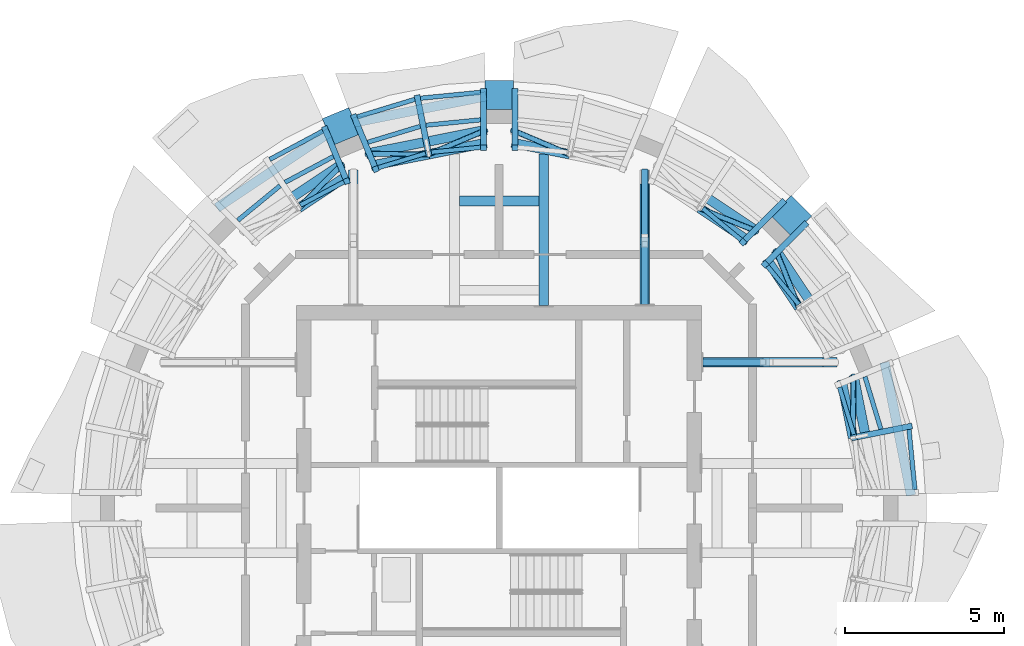
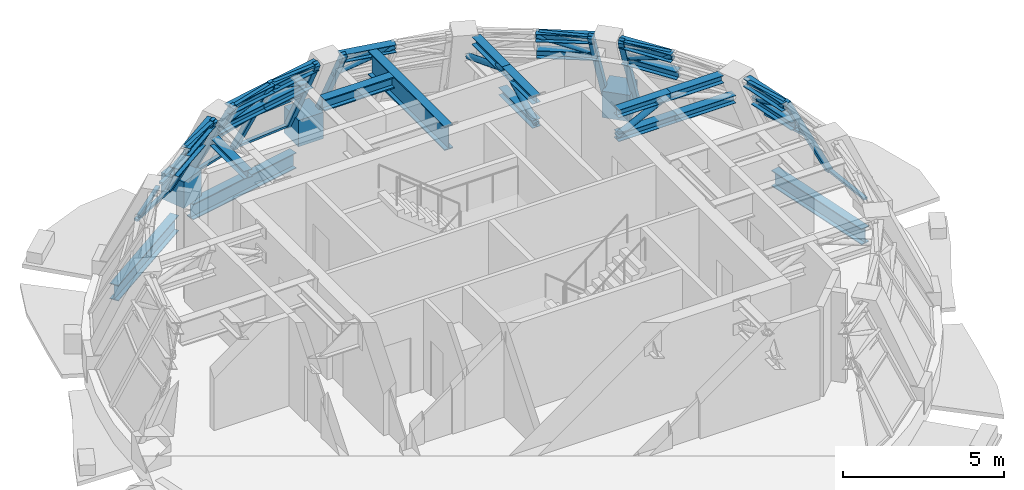
# One storey, part 5 of 12: 57 members, 5 beams, 6 elements without a shape of their own.
"""IFC4 building model written with IfcOpenShell, lengths in metres."""

from ifc_helpers import new_model, si_unit, direction, frame, origin, origin_2d, place, context, subcontext, project, spatial, rectangle, hollow_circle, i_section, extrude, material, material_profile, profile_set, type_object, element, aggregate, save


model = new_model("IFC4")

# Units and contexts
model_context = context("Model", 3, precision=1e-05, world=origin(), true_north=direction((0.0, 1.0)))
body_context = subcontext(model_context, "Body", "Model", "MODEL_VIEW")
ifc_project = project(units=[si_unit("LENGTHUNIT", "METRE"), si_unit("AREAUNIT", "SQUARE_METRE"), si_unit("VOLUMEUNIT", "CUBIC_METRE"), si_unit("PLANEANGLEUNIT", "RADIAN"), si_unit("MASSUNIT", "GRAM", prefix="KILO")], contexts=[model_context])

# Site, building, storey
site_placement = place(None, origin())
site = spatial("IfcSite", under=ifc_project, at=site_placement, CompositionType="ELEMENT")
building_placement = place(site_placement, origin())
building = spatial("IfcBuilding", under=site, at=building_placement, Name="Polderwave Tower", CompositionType="ELEMENT")
storey_placement = place(building_placement, frame((0.0, 0.0, 235.39990234375)))
storey = spatial("IfcBuildingStorey", under=building, at=storey_placement, Name="L64", CompositionType="ELEMENT", Elevation=235.39990234375)

# Members
ifc_material_1 = material(Name="Steel S460", Category="steel")
ifc_material_profile_1 = material_profile(ifc_material_1, i_section(OverallWidth=0.300048828125, OverallDepth=0.300048828125, WebThickness=0.010986328125, FlangeThickness=0.01904296875, at=origin_2d()), Name="HE 300 B")
ifc_profile_set_1 = profile_set([ifc_material_profile_1], Name="Steel S460")
member_type_1 = type_object("IfcMemberType", Name="BELT CHORD HE 300 B", PredefinedType="CHORD", material=ifc_profile_set_1)
member_1_placement = place(storey_placement, frame((11.098388671875, 2.20751953125, 3.25), z_axis=(-0.195122538865, 0.980778871524, 0.0), x_axis=(-0.980778871524, -0.195122538865, 0.0)))
element("IfcMember", 1, at=member_1_placement, inside=storey, type_object=member_type_1, Name="ST-BT-L64-00-TC2", PredefinedType="CHORD", context=body_context, shape_type="SweptSolid", body=[
    extrude(i_section(OverallWidth=0.300048828125, OverallDepth=0.300048828125, WebThickness=0.010986328125, FlangeThickness=0.01904296875, at=origin_2d()), origin(), (0.0, 0.0, 1.0), 1.843017578125),
])
member_2_placement = place(storey_placement, frame((11.488037109375, 2.28515625, 2.35009765625), z_axis=(-0.195114468684, 0.980780477023, 0.0), x_axis=(-0.980780477023, -0.195114468684, 0.0)))
element("IfcMember", 2, at=member_2_placement, inside=storey, type_object=member_type_1, Name="ST-BT-L64-00-BC2", PredefinedType="CHORD", context=body_context, shape_type="SweptSolid", body=[
    extrude(i_section(OverallWidth=0.300048828125, OverallDepth=0.300048828125, WebThickness=0.010986328125, FlangeThickness=0.01904296875, at=origin_2d()), origin(), (0.0, 0.0, 1.0), 1.921875),
])
member_3_placement = place(storey_placement, frame((9.40869140625, 6.28662109375, 3.25), z_axis=(-0.555555826751, 0.831479238083, 0.0), x_axis=(-0.831479238083, -0.555555826751, 0.0)))
element("IfcMember", 3, at=member_3_placement, inside=storey, type_object=member_type_1, Name="ST-BT-L64-01-TC2", PredefinedType="CHORD", context=body_context, shape_type="SweptSolid", body=[
    extrude(i_section(OverallWidth=0.300048828125, OverallDepth=0.300048828125, WebThickness=0.010986328125, FlangeThickness=0.01904296875, at=origin_2d()), origin(), (0.0, 0.0, 1.0), 1.843017578125),
])
member_4_placement = place(storey_placement, frame((9.739013671875, 6.50732421875, 2.35009765625), z_axis=(-0.555579245802, 0.831463590083, 0.0), x_axis=(-0.831463590083, -0.555579245802, 0.0)))
element("IfcMember", 4, at=member_4_placement, inside=storey, type_object=member_type_1, Name="ST-BT-L64-01-BC2", PredefinedType="CHORD", context=body_context, shape_type="SweptSolid", body=[
    extrude(i_section(OverallWidth=0.300048828125, OverallDepth=0.300048828125, WebThickness=0.010986328125, FlangeThickness=0.01904296875, at=origin_2d()), origin(), (0.0, 0.0, 1.0), 1.922119140625),
])
member_5_placement = place(storey_placement, frame((7.819091796875, 8.384765625, 3.25), z_axis=(-0.831479238083, 0.555555826751, 0.0), x_axis=(-0.555555826751, -0.831479238083, 0.0)))
element("IfcMember", 5, at=member_5_placement, inside=storey, type_object=member_type_1, Name="ST-BT-L64-02-TC1", PredefinedType="CHORD", context=body_context, shape_type="SweptSolid", body=[
    extrude(i_section(OverallWidth=0.300048828125, OverallDepth=0.300048828125, WebThickness=0.010986328125, FlangeThickness=0.01904296875, at=origin_2d()), origin(), (0.0, 0.0, 1.0), 1.843017578125),
])
member_6_placement = place(storey_placement, frame((8.10546875, 8.671142578125, 2.35009765625), z_axis=(-0.831463590083, 0.555579245802, 0.0), x_axis=(-0.555579245802, -0.831463590083, 0.0)))
element("IfcMember", 6, at=member_6_placement, inside=storey, type_object=member_type_1, Name="ST-BT-L64-02-BC1", PredefinedType="CHORD", context=body_context, shape_type="SweptSolid", body=[
    extrude(i_section(OverallWidth=0.300048828125, OverallDepth=0.300048828125, WebThickness=0.010986328125, FlangeThickness=0.01904296875, at=origin_2d()), origin(), (0.0, 0.0, 1.0), 1.922119140625),
])
for number, where, z_axis, x_axis, name in (
    (7, (2.20751953125, 11.098388671875, 3.25), (-0.980778871524, 0.195122538865, 0.0), (-0.195122538865, -0.980778871524, 0.0), "ST-BT-L64-03-TC2"),
    (8, (-0.39990234375, 11.4580078125, 3.25), (-0.980778871524, -0.195122538865, 0.0), (0.195122538865, -0.980778871524, 0.0), "ST-BT-L64-04-TC1"),
):
    element("IfcMember", number, at=place(storey_placement, frame(where, z_axis=z_axis, x_axis=x_axis)), inside=storey, type_object=member_type_1, Name=name, PredefinedType="CHORD", context=body_context, shape_type="SweptSolid", body=[
        extrude(i_section(OverallWidth=0.300048828125, OverallDepth=0.300048828125, WebThickness=0.010986328125, FlangeThickness=0.01904296875, at=origin_2d()), origin(), (0.0, 0.0, 1.0), 1.843017578125),
    ])
member_7_placement = place(storey_placement, frame((-0.39990234375, 11.863037109375, 2.35009765625), z_axis=(-0.980785312019, -0.195090163074, 0.0), x_axis=(0.195090163074, -0.980785312019, 0.0)))
element("IfcMember", 9, at=member_7_placement, inside=storey, type_object=member_type_1, Name="ST-BT-L64-04-BC1", PredefinedType="CHORD", context=body_context, shape_type="SweptSolid", body=[
    extrude(i_section(OverallWidth=0.300048828125, OverallDepth=0.300048828125, WebThickness=0.010986328125, FlangeThickness=0.01904296875, at=origin_2d()), origin(), (0.0, 0.0, 1.0), 1.922119140625),
])
member_8_placement = place(storey_placement, frame((-2.20751953125, 11.098388671875, 3.25), z_axis=(-0.980778871524, -0.195122538865, 0.0), x_axis=(0.195122538865, -0.980778871524, 0.0)))
element("IfcMember", 10, at=member_8_placement, inside=storey, type_object=member_type_1, Name="ST-BT-L64-04-TC2", PredefinedType="CHORD", context=body_context, shape_type="SweptSolid", body=[
    extrude(i_section(OverallWidth=0.300048828125, OverallDepth=0.300048828125, WebThickness=0.010986328125, FlangeThickness=0.01904296875, at=origin_2d()), origin(), (0.0, 0.0, 1.0), 1.843017578125),
])
member_9_placement = place(storey_placement, frame((-2.28515625, 11.488037109375, 2.35009765625), z_axis=(-0.980780477023, -0.195114468684, 0.0), x_axis=(0.195114468684, -0.980780477023, 0.0)))
element("IfcMember", 11, at=member_9_placement, inside=storey, type_object=member_type_1, Name="ST-BT-L64-04-BC2", PredefinedType="CHORD", context=body_context, shape_type="SweptSolid", body=[
    extrude(i_section(OverallWidth=0.300048828125, OverallDepth=0.300048828125, WebThickness=0.010986328125, FlangeThickness=0.01904296875, at=origin_2d()), origin(), (0.0, 0.0, 1.0), 1.921875),
])
member_10_placement = place(storey_placement, frame((-4.75439453125, 10.4326171875, 3.25), z_axis=(-0.831438347203, -0.555617021697, 0.0), x_axis=(0.555617021697, -0.831438347203, 0.0)))
element("IfcMember", 12, at=member_10_placement, inside=storey, type_object=member_type_1, Name="ST-BT-L64-05-TC1", PredefinedType="CHORD", context=body_context, shape_type="SweptSolid", body=[
    extrude(i_section(OverallWidth=0.300048828125, OverallDepth=0.300048828125, WebThickness=0.010986328125, FlangeThickness=0.01904296875, at=origin_2d()), origin(), (0.0, 0.0, 1.0), 1.8427734375),
])
member_11_placement = place(storey_placement, frame((-4.9091796875, 10.806884765625, 2.35009765625), z_axis=(-0.831463590083, -0.555579245802, 0.0), x_axis=(0.555579245802, -0.831463590083, 0.0)))
element("IfcMember", 13, at=member_11_placement, inside=storey, type_object=member_type_1, Name="ST-BT-L64-05-BC1", PredefinedType="CHORD", context=body_context, shape_type="SweptSolid", body=[
    extrude(i_section(OverallWidth=0.300048828125, OverallDepth=0.300048828125, WebThickness=0.010986328125, FlangeThickness=0.01904296875, at=origin_2d()), origin(), (0.0, 0.0, 1.0), 1.922119140625),
])
ifc_material_profile_2 = material_profile(ifc_material_1, hollow_circle(Radius=0.084228515625, WallThickness=0.008056640625, at=origin_2d()), Name="CHS 168.3x8")
ifc_profile_set_2 = profile_set([ifc_material_profile_2], Name="Steel S460")
member_type_2 = type_object("IfcMemberType", Name="BELT DIAGONAL CHS 168.3x8", PredefinedType="BRACE", material=ifc_profile_set_2)
for number, where, z_axis, x_axis, name in (
    (14, (11.098388671875, 2.20751953125, 3.25), (0.006784287361, 0.908981434905, -0.416781386872), (-0.99997214839, 0.007463407004, 0.0), "ST-BT-L64-00-D2"),
    (15, (9.40869140625, 6.28662109375, 3.25), (-0.341589261676, 0.842383316613, -0.416781866448), (-0.926707660134, -0.375783065942, 0.0), "ST-BT-L64-01-D2"),
    (16, (8.10546875, 8.671142578125, 2.35009765625), (-0.842383316613, 0.341589261676, 0.416781866448), (-0.375783065942, -0.926707660134, 0.0), "ST-BT-L64-02-D1"),
    (17, (2.20751953125, 11.098388671875, 3.25), (-0.837183634537, 0.354140889164, -0.416782668409), (-0.38959129536, -0.920987851483, 0.0), "ST-BT-L64-03-D2"),
    (18, (-0.39990234375, 11.863037109375, 2.35009765625), (-0.837183634537, -0.354140889164, 0.416782668409), (0.38959129536, -0.920987851483, 0.0), "ST-BT-L64-04-D1"),
    (19, (-2.20751953125, 11.098388671875, 3.25), (-0.908981434905, 0.006784287361, -0.416781386872), (-0.007463407004, -0.99997214839, 0.0), "ST-BT-L64-04-D2"),
    (20, (-4.9091796875, 10.806884765625, 2.35009765625), (-0.637942744099, -0.647553721279, 0.416777198644), (0.71237353489, -0.701800503553, 0.0), "ST-BT-L64-05-D1"),
):
    element("IfcMember", number, at=place(storey_placement, frame(where, z_axis=z_axis, x_axis=x_axis)), inside=storey, type_object=member_type_2, Name=name, PredefinedType="BRACE", context=body_context, shape_type="SweptSolid", body=[
        extrude(hollow_circle(Radius=0.084228515625, WallThickness=0.008056640625, at=origin_2d()), origin(), (0.0, 0.0, 1.0), 2.1591796875),
    ])

# Curtain wall, member
ifc_material_2 = material(Name="Aluminium 6063-T6 and glass", Category="aluminium")
curtain_wall_type = type_object("IfcCurtainWallType", Name="Crown facet glazing wall", PredefinedType="NOTDEFINED", material=ifc_material_2)
curtain_wall_1_placement = place(storey_placement, origin())
curtain_wall_1 = element("IfcCurtainWall", 21, at=curtain_wall_1_placement, inside=storey, type_object=curtain_wall_type, Name="CROWN CW6 L64 00", PredefinedType="NOTDEFINED")
ifc_material_3 = material(Name="Aluminium 6063-T6", Category="aluminium")
ifc_material_profile_3 = material_profile(ifc_material_3, rectangle(XDim=0.18505859375, YDim=0.199951171875, at=origin_2d()), Name="AL 185x200")
ifc_profile_set_3 = profile_set([ifc_material_profile_3], Name="Aluminium 6063-T6")
member_type_3 = type_object("IfcMemberType", Name="Crown facet glazing mullion 185x200", PredefinedType="MULLION", material=ifc_profile_set_3)
member_12_placement = place(storey_placement, frame((12.867919921875, 2.56005859375, 0.0), z_axis=(-0.452442689368, -0.090017110684, 0.88723871231), x_axis=(0.195133411565, -0.980776708375, 0.0)))
member_12 = element("IfcMember", 22, at=member_12_placement, type_object=member_type_3, Name="CW6 mullion 2", PredefinedType="MULLION", context=body_context, shape_type="SweptSolid", body=[
    extrude(rectangle(XDim=0.18505859375, YDim=0.199951171875, at=origin_2d()), origin(), (0.0, 0.0, 1.0), 3.832275390625),
])

curtain_wall_2_placement = place(storey_placement, origin())
curtain_wall_2 = element("IfcCurtainWall", 23, at=curtain_wall_2_placement, inside=storey, type_object=curtain_wall_type, Name="CROWN CW6 L64 01", PredefinedType="NOTDEFINED")
member_13_placement = place(storey_placement, frame((9.5908203125, 8.89453125, 0.0), z_axis=(-0.326180736129, -0.326180736129, 0.887249826575), x_axis=(0.707106781187, -0.707106781187, 0.0)))
member_13 = element("IfcMember", 24, at=member_13_placement, type_object=member_type_3, Name="CW6 mullion 3", PredefinedType="MULLION", context=body_context, shape_type="SweptSolid", body=[
    extrude(rectangle(XDim=0.18505859375, YDim=0.199951171875, at=origin_2d()), origin(), (0.0, 0.0, 1.0), 3.832275390625),
])

curtain_wall_3_placement = place(storey_placement, origin())
curtain_wall_3 = element("IfcCurtainWall", 25, at=curtain_wall_3_placement, inside=storey, type_object=curtain_wall_type, Name="CROWN CW6 L64 02", PredefinedType="NOTDEFINED")
member_14_placement = place(storey_placement, frame((8.89453125, 9.5908203125, 0.0), z_axis=(-0.326180736129, -0.326180736129, 0.887249826575), x_axis=(0.707106781187, -0.707106781187, 0.0)))
member_14 = element("IfcMember", 26, at=member_14_placement, type_object=member_type_3, Name="CW6 mullion 1", PredefinedType="MULLION", context=body_context, shape_type="SweptSolid", body=[
    extrude(rectangle(XDim=0.18505859375, YDim=0.199951171875, at=origin_2d()), origin(), (0.0, 0.0, 1.0), 3.832275390625),
])

curtain_wall_4_placement = place(storey_placement, origin())
curtain_wall_4 = element("IfcCurtainWall", 27, at=curtain_wall_4_placement, inside=storey, type_object=curtain_wall_type, Name="CROWN CW6 L64 03", PredefinedType="NOTDEFINED")
member_15_placement = place(storey_placement, frame((0.4921875, 13.071044921875, 0.0), z_axis=(0.0, -0.461150112865, 0.887322136208), x_axis=(1.0, 0.0, 0.0)))
member_15 = element("IfcMember", 28, at=member_15_placement, type_object=member_type_3, Name="CW6 mullion 3", PredefinedType="MULLION", context=body_context, shape_type="SweptSolid", body=[
    extrude(rectangle(XDim=0.18505859375, YDim=0.199951171875, at=origin_2d()), origin(), (0.0, 0.0, 1.0), 3.83203125),
])
aggregate(curtain_wall_4, [member_15])

# Curtain wall, members
curtain_wall_5_placement = place(storey_placement, origin())
curtain_wall_5 = element("IfcCurtainWall", 29, at=curtain_wall_5_placement, inside=storey, type_object=curtain_wall_type, Name="CROWN CW6 L64 04", PredefinedType="NOTDEFINED")
member_16_placement = place(storey_placement, frame((-0.4921875, 13.071044921875, 0.0), z_axis=(0.0, -0.461150112865, 0.887322136208), x_axis=(1.0, 0.0, 0.0)))
member_16 = element("IfcMember", 30, at=member_16_placement, type_object=member_type_3, Name="CW6 mullion 1", PredefinedType="MULLION", context=body_context, shape_type="SweptSolid", body=[
    extrude(rectangle(XDim=0.18505859375, YDim=0.199951171875, at=origin_2d()), origin(), (0.0, 0.0, 1.0), 3.83203125),
])
member_17_placement = place(storey_placement, frame((-2.56005859375, 12.867919921875, 0.0), z_axis=(0.090017110684, -0.452442689368, 0.88723871231), x_axis=(0.980776708375, 0.195133411565, 0.0)))
member_17 = element("IfcMember", 31, at=member_17_placement, type_object=member_type_3, Name="CW6 mullion 2", PredefinedType="MULLION", context=body_context, shape_type="SweptSolid", body=[
    extrude(rectangle(XDim=0.18505859375, YDim=0.199951171875, at=origin_2d()), origin(), (0.0, 0.0, 1.0), 3.832275390625),
])
member_18_placement = place(storey_placement, frame((-4.547607421875, 12.264892578125, 0.0), z_axis=(0.176411868684, -0.426153481267, 0.887283530215), x_axis=(0.923961289625, 0.382485993567, 0.0)))
member_18 = element("IfcMember", 32, at=member_18_placement, type_object=member_type_3, Name="CW6 mullion 3", PredefinedType="MULLION", context=body_context, shape_type="SweptSolid", body=[
    extrude(rectangle(XDim=0.18505859375, YDim=0.199951171875, at=origin_2d()), origin(), (0.0, 0.0, 1.0), 3.83203125),
])

# Curtain wall, member
curtain_wall_6_placement = place(storey_placement, origin())
curtain_wall_6 = element("IfcCurtainWall", 33, at=curtain_wall_6_placement, inside=storey, type_object=curtain_wall_type, Name="CROWN CW6 L64 05", PredefinedType="NOTDEFINED")
member_19_placement = place(storey_placement, frame((-5.45654296875, 11.888427734375, 0.0), z_axis=(0.176411868684, -0.426153481267, 0.887283530215), x_axis=(0.923961289625, 0.382485993567, 0.0)))
member_19 = element("IfcMember", 34, at=member_19_placement, type_object=member_type_3, Name="CW6 mullion 1", PredefinedType="MULLION", context=body_context, shape_type="SweptSolid", body=[
    extrude(rectangle(XDim=0.18505859375, YDim=0.199951171875, at=origin_2d()), origin(), (0.0, 0.0, 1.0), 3.83203125),
])

# Member
ifc_material_profile_4 = material_profile(ifc_material_3, rectangle(XDim=0.139892578125, YDim=0.080078125, at=origin_2d()), Name="AL 80x140")
ifc_profile_set_4 = profile_set([ifc_material_profile_4], Name="Aluminium 6063-T6")
member_type_4 = type_object("IfcMemberType", Name="Crown facet glazing transom 80x140", PredefinedType="USERDEFINED", material=ifc_profile_set_4)
member_20_placement = place(storey_placement, frame((13.041015625, 0.583984375, 0.0400390625), z_axis=(-0.097583974986, 0.995227294554, 0.0), x_axis=(-0.995227294554, -0.097583974986, 0.0)))
member_20 = element("IfcMember", 35, at=member_20_placement, type_object=member_type_4, Name="CW6 transom 1", ObjectType="TRANSOM", PredefinedType="USERDEFINED", context=body_context, shape_type="SweptSolid", body=[
    extrude(rectangle(XDim=0.139892578125, YDim=0.080078125, at=origin_2d()), origin(), (0.0, 0.0, 1.0), 1.888916015625),
])

member_21_placement = place(storey_placement, frame((11.97412109375, 2.47607421875, 1.7001953125), z_axis=(-0.290291185896, 0.956938361333, 0.0), x_axis=(-0.956938361333, -0.290291185896, 0.0)))
member_21 = element("IfcMember", 36, at=member_21_placement, type_object=member_type_4, Name="CW6 transom 5", ObjectType="TRANSOM", PredefinedType="USERDEFINED", context=body_context, shape_type="SweptSolid", body=[
    extrude(rectangle(XDim=0.139892578125, YDim=0.080078125, at=origin_2d()), origin(), (0.0, 0.0, 1.0), 1.718994140625),
])

member_22_placement = place(storey_placement, frame((11.12744140625, 2.3076171875, 3.360107421875), z_axis=(-0.289976793855, 0.957033677059, 0.0), x_axis=(-0.957033677059, -0.289976793855, 0.0)))
member_22 = element("IfcMember", 37, at=member_22_placement, type_object=member_type_4, Name="CW6 transom 6", ObjectType="TRANSOM", PredefinedType="USERDEFINED", context=body_context, shape_type="SweptSolid", body=[
    extrude(rectangle(XDim=0.139892578125, YDim=0.080078125, at=origin_2d()), origin(), (0.0, 0.0, 1.0), 1.550048828125),
])

aggregate(curtain_wall_1, [member_12, member_20, member_21, member_22])

member_23_placement = place(storey_placement, frame((9.397705078125, 6.389892578125, 3.360107421875), z_axis=(-0.634652080933, 0.772797991824, 0.0), x_axis=(-0.772797991824, -0.634652080933, 0.0)))
member_23 = element("IfcMember", 38, at=member_23_placement, type_object=member_type_4, Name="CW6 transom 6", ObjectType="TRANSOM", PredefinedType="USERDEFINED", context=body_context, shape_type="SweptSolid", body=[
    extrude(rectangle(XDim=0.139892578125, YDim=0.080078125, at=origin_2d()), origin(), (0.0, 0.0, 1.0), 1.5498046875),
])

aggregate(curtain_wall_2, [member_13, member_23])

member_24_placement = place(storey_placement, frame((7.587646484375, 8.4140625, 3.360107421875), z_axis=(-0.772797991824, 0.634652080933, 0.0), x_axis=(-0.634652080933, -0.772797991824, 0.0)))
member_24 = element("IfcMember", 39, at=member_24_placement, type_object=member_type_4, Name="CW6 transom 3", ObjectType="TRANSOM", PredefinedType="USERDEFINED", context=body_context, shape_type="SweptSolid", body=[
    extrude(rectangle(XDim=0.139892578125, YDim=0.080078125, at=origin_2d()), origin(), (0.0, 0.0, 1.0), 1.5498046875),
])

aggregate(curtain_wall_3, [member_14, member_24])

member_25_placement = place(storey_placement, frame((-0.583984375, 13.041015625, 0.0400390625), z_axis=(-0.995227294554, -0.097583974986, 0.0), x_axis=(0.097583974986, -0.995227294554, 0.0)))
member_25 = element("IfcMember", 40, at=member_25_placement, type_object=member_type_4, Name="CW6 transom 1", ObjectType="TRANSOM", PredefinedType="USERDEFINED", context=body_context, shape_type="SweptSolid", body=[
    extrude(rectangle(XDim=0.139892578125, YDim=0.080078125, at=origin_2d()), origin(), (0.0, 0.0, 1.0), 1.888916015625),
])

member_26_placement = place(storey_placement, frame((-0.583984375, 12.178466796875, 1.7001953125), z_axis=(-0.99519060674, -0.097957420635, 0.0), x_axis=(0.097957420635, -0.99519060674, 0.0)))
member_26 = element("IfcMember", 41, at=member_26_placement, type_object=member_type_4, Name="CW6 transom 2", ObjectType="TRANSOM", PredefinedType="USERDEFINED", context=body_context, shape_type="SweptSolid", body=[
    extrude(rectangle(XDim=0.139892578125, YDim=0.080078125, at=origin_2d()), origin(), (0.0, 0.0, 1.0), 1.7197265625),
])

member_27_placement = place(storey_placement, frame((-0.583984375, 11.315673828125, 3.360107421875), z_axis=(-0.995161131083, -0.098256415474, 0.0), x_axis=(0.098256415474, -0.995161131083, 0.0)))
member_27 = element("IfcMember", 42, at=member_27_placement, type_object=member_type_4, Name="CW6 transom 3", ObjectType="TRANSOM", PredefinedType="USERDEFINED", context=body_context, shape_type="SweptSolid", body=[
    extrude(rectangle(XDim=0.139892578125, YDim=0.080078125, at=origin_2d()), origin(), (0.0, 0.0, 1.0), 1.550537109375),
])

member_28_placement = place(storey_placement, frame((-2.64453125, 12.82080078125, 0.0400390625), z_axis=(-0.956885069908, -0.290466801867, 0.0), x_axis=(0.290466801867, -0.956885069908, 0.0)))
member_28 = element("IfcMember", 43, at=member_28_placement, type_object=member_type_4, Name="CW6 transom 4", ObjectType="TRANSOM", PredefinedType="USERDEFINED", context=body_context, shape_type="SweptSolid", body=[
    extrude(rectangle(XDim=0.139892578125, YDim=0.080078125, at=origin_2d()), origin(), (0.0, 0.0, 1.0), 1.8876953125),
])

member_29_placement = place(storey_placement, frame((-2.47607421875, 11.97412109375, 1.7001953125), z_axis=(-0.956938361333, -0.290291185896, 0.0), x_axis=(0.290291185896, -0.956938361333, 0.0)))
member_29 = element("IfcMember", 44, at=member_29_placement, type_object=member_type_4, Name="CW6 transom 5", ObjectType="TRANSOM", PredefinedType="USERDEFINED", context=body_context, shape_type="SweptSolid", body=[
    extrude(rectangle(XDim=0.139892578125, YDim=0.080078125, at=origin_2d()), origin(), (0.0, 0.0, 1.0), 1.718994140625),
])

member_30_placement = place(storey_placement, frame((-2.3076171875, 11.12744140625, 3.360107421875), z_axis=(-0.957033677059, -0.289976793855, 0.0), x_axis=(0.289976793855, -0.957033677059, 0.0)))
member_30 = element("IfcMember", 45, at=member_30_placement, type_object=member_type_4, Name="CW6 transom 6", ObjectType="TRANSOM", PredefinedType="USERDEFINED", context=body_context, shape_type="SweptSolid", body=[
    extrude(rectangle(XDim=0.139892578125, YDim=0.080078125, at=origin_2d()), origin(), (0.0, 0.0, 1.0), 1.550048828125),
])

aggregate(curtain_wall_5, [member_16, member_17, member_18, member_25, member_26, member_27, member_28, member_29, member_30])

member_31_placement = place(storey_placement, frame((-5.5302734375, 11.82568359375, 0.0400390625), z_axis=(-0.881890896248, -0.471453547144, 0.0), x_axis=(0.471453547144, -0.881890896248, 0.0)))
member_31 = element("IfcMember", 46, at=member_31_placement, type_object=member_type_4, Name="CW6 transom 1", ObjectType="TRANSOM", PredefinedType="USERDEFINED", context=body_context, shape_type="SweptSolid", body=[
    extrude(rectangle(XDim=0.139892578125, YDim=0.080078125, at=origin_2d()), origin(), (0.0, 0.0, 1.0), 1.888671875),
])

member_32_placement = place(storey_placement, frame((-5.2001953125, 11.0283203125, 1.7001953125), z_axis=(-0.881821721704, -0.471582920737, 0.0), x_axis=(0.471582920737, -0.881821721704, 0.0)))
member_32 = element("IfcMember", 47, at=member_32_placement, type_object=member_type_4, Name="CW6 transom 2", ObjectType="TRANSOM", PredefinedType="USERDEFINED", context=body_context, shape_type="SweptSolid", body=[
    extrude(rectangle(XDim=0.139892578125, YDim=0.080078125, at=origin_2d()), origin(), (0.0, 0.0, 1.0), 1.71923828125),
])

member_33_placement = place(storey_placement, frame((-4.8701171875, 10.23095703125, 3.360107421875), z_axis=(-0.881837952889, -0.471552568485, 0.0), x_axis=(0.471552568485, -0.881837952889, 0.0)))
member_33 = element("IfcMember", 48, at=member_33_placement, type_object=member_type_4, Name="CW6 transom 3", ObjectType="TRANSOM", PredefinedType="USERDEFINED", context=body_context, shape_type="SweptSolid", body=[
    extrude(rectangle(XDim=0.139892578125, YDim=0.080078125, at=origin_2d()), origin(), (0.0, 0.0, 1.0), 1.550048828125),
])

member_34_placement = place(storey_placement, frame((-6.869384765625, 10.115234375, 1.7001953125), z_axis=(-0.772880475824, -0.634551629177, 0.0), x_axis=(0.634551629177, -0.772880475824, 0.0)))
member_34 = element("IfcMember", 49, at=member_34_placement, type_object=member_type_4, Name="CW6 transom 5", ObjectType="TRANSOM", PredefinedType="USERDEFINED", context=body_context, shape_type="SweptSolid", body=[
    extrude(rectangle(XDim=0.139892578125, YDim=0.080078125, at=origin_2d()), origin(), (0.0, 0.0, 1.0), 1.718994140625),
])

aggregate(curtain_wall_6, [member_19, member_31, member_32, member_33, member_34])

# Beams
ifc_material_profile_5 = material_profile(ifc_material_1, i_section(OverallWidth=0.302001953125, OverallDepth=0.909912109375, WebThickness=0.02099609375, FlangeThickness=0.0400390625, at=origin_2d()), Name="HE 900 M")
ifc_profile_set_5 = profile_set([ifc_material_profile_5], Name="Steel S460")
beam_type_1 = type_object("IfcBeamType", Name="DAMPER SUPPORT BEAM HE 900 M", PredefinedType="BEAM", material=ifc_profile_set_5)
beam_1_placement = place(storey_placement, frame((1.39990234375, 6.35009765625, 2.945068359375), z_axis=(0.0, 1.0, 0.0), x_axis=(-1.0, 0.0, 0.0)))
element("IfcBeam", 50, at=beam_1_placement, inside=storey, type_object=beam_type_1, Name="Damper support beam 2.1", PredefinedType="BEAM", context=body_context, shape_type="SweptSolid", body=[
    extrude(i_section(OverallWidth=0.302001953125, OverallDepth=0.909912109375, WebThickness=0.02099609375, FlangeThickness=0.0400390625, at=origin_2d()), origin(), (0.0, 0.0, 1.0), 4.756103515625),
])
ifc_material_profile_6 = material_profile(ifc_material_1, i_section(OverallWidth=0.306884765625, OverallDepth=0.431884765625, WebThickness=0.02099609375, FlangeThickness=0.0400390625, at=origin_2d()), Name="HE 400 M")
ifc_profile_set_6 = profile_set([ifc_material_profile_6], Name="Steel S460")
beam_type_2 = type_object("IfcBeamType", Name="DAMPER TIE BEAM HE 400 M", PredefinedType="BEAM", material=ifc_profile_set_6)
beam_2_placement = place(storey_placement, frame((1.2490234375, 9.635009765625, 3.18408203125), z_axis=(-1.0, 0.0, 0.0), x_axis=(0.0, -1.0, 0.0)))
element("IfcBeam", 51, at=beam_2_placement, inside=storey, type_object=beam_type_2, Name="Damper tie beam 2.2", PredefinedType="BEAM", context=body_context, shape_type="SweptSolid", body=[
    extrude(i_section(OverallWidth=0.306884765625, OverallDepth=0.431884765625, WebThickness=0.02099609375, FlangeThickness=0.0400390625, at=origin_2d()), origin(), (0.0, 0.0, 1.0), 2.498046875),
])

# Members
ifc_material_profile_7 = material_profile(ifc_material_1, i_section(OverallWidth=0.300048828125, OverallDepth=0.2900390625, WebThickness=0.008544921875, FlangeThickness=0.013916015625, at=origin_2d()), Name="HE 300 A")
ifc_profile_set_7 = profile_set([ifc_material_profile_7], Name="Steel S460")
member_type_5 = type_object("IfcMemberType", Name="OUTRIGGER CHORD HE 300 A", PredefinedType="CHORD", material=ifc_profile_set_7)
member_35_placement = place(storey_placement, frame((6.389892578125, 4.571044921875, 3.255126953125), z_axis=(1.0, 0.0, 0.0), x_axis=(0.0, 1.0, 0.0)))
element("IfcMember", 52, at=member_35_placement, inside=storey, type_object=member_type_5, Name="ST-OR-L64-01-TC1", PredefinedType="CHORD", context=body_context, shape_type="SweptSolid", body=[
    extrude(i_section(OverallWidth=0.300048828125, OverallDepth=0.2900390625, WebThickness=0.008544921875, FlangeThickness=0.013916015625, at=origin_2d()), origin(), (0.0, 0.0, 1.0), 1.884765625),
])
member_36_placement = place(storey_placement, frame((6.389892578125, 4.571044921875, 2.34521484375), z_axis=(1.0, 0.0, 0.0), x_axis=(0.0, 1.0, 0.0)))
element("IfcMember", 53, at=member_36_placement, inside=storey, type_object=member_type_5, Name="ST-OR-L64-01-BC1", PredefinedType="CHORD", context=body_context, shape_type="SweptSolid", body=[
    extrude(i_section(OverallWidth=0.300048828125, OverallDepth=0.2900390625, WebThickness=0.008544921875, FlangeThickness=0.013916015625, at=origin_2d()), origin(), (0.0, 0.0, 1.0), 2.1064453125),
])
member_37_placement = place(storey_placement, frame((8.274658203125, 4.571044921875, 3.255126953125), z_axis=(1.0, 0.0, 0.0), x_axis=(0.0, 1.0, 0.0)))
element("IfcMember", 54, at=member_37_placement, inside=storey, type_object=member_type_5, Name="ST-OR-L64-01-TC2", PredefinedType="CHORD", context=body_context, shape_type="SweptSolid", body=[
    extrude(i_section(OverallWidth=0.300048828125, OverallDepth=0.2900390625, WebThickness=0.008544921875, FlangeThickness=0.013916015625, at=origin_2d()), origin(), (0.0, 0.0, 1.0), 1.884765625),
])
member_38_placement = place(storey_placement, frame((8.496337890625, 4.571044921875, 2.34521484375), z_axis=(1.0, 0.0, 0.0), x_axis=(0.0, 1.0, 0.0)))
element("IfcMember", 55, at=member_38_placement, inside=storey, type_object=member_type_5, Name="ST-OR-L64-01-BC2", PredefinedType="CHORD", context=body_context, shape_type="SweptSolid", body=[
    extrude(i_section(OverallWidth=0.300048828125, OverallDepth=0.2900390625, WebThickness=0.008544921875, FlangeThickness=0.013916015625, at=origin_2d()), origin(), (0.0, 0.0, 1.0), 2.106201171875),
])
member_39_placement = place(storey_placement, frame((4.571044921875, 6.389892578125, 3.255126953125), z_axis=(0.0, 1.0, 0.0), x_axis=(-1.0, 0.0, 0.0)))
element("IfcMember", 56, at=member_39_placement, inside=storey, type_object=member_type_5, Name="ST-OR-L64-03-TC1", PredefinedType="CHORD", context=body_context, shape_type="SweptSolid", body=[
    extrude(i_section(OverallWidth=0.300048828125, OverallDepth=0.2900390625, WebThickness=0.008544921875, FlangeThickness=0.013916015625, at=origin_2d()), origin(), (0.0, 0.0, 1.0), 1.884765625),
])
member_40_placement = place(storey_placement, frame((4.571044921875, 6.389892578125, 2.34521484375), z_axis=(0.0, 1.0, 0.0), x_axis=(-1.0, 0.0, 0.0)))
element("IfcMember", 57, at=member_40_placement, inside=storey, type_object=member_type_5, Name="ST-OR-L64-03-BC1", PredefinedType="CHORD", context=body_context, shape_type="SweptSolid", body=[
    extrude(i_section(OverallWidth=0.300048828125, OverallDepth=0.2900390625, WebThickness=0.008544921875, FlangeThickness=0.013916015625, at=origin_2d()), origin(), (0.0, 0.0, 1.0), 2.1064453125),
])
member_41_placement = place(storey_placement, frame((4.571044921875, 8.274658203125, 3.255126953125), z_axis=(0.0, 1.0, 0.0), x_axis=(-1.0, 0.0, 0.0)))
element("IfcMember", 58, at=member_41_placement, inside=storey, type_object=member_type_5, Name="ST-OR-L64-03-TC2", PredefinedType="CHORD", context=body_context, shape_type="SweptSolid", body=[
    extrude(i_section(OverallWidth=0.300048828125, OverallDepth=0.2900390625, WebThickness=0.008544921875, FlangeThickness=0.013916015625, at=origin_2d()), origin(), (0.0, 0.0, 1.0), 1.884765625),
])
member_42_placement = place(storey_placement, frame((-4.571044921875, 8.496337890625, 2.34521484375), z_axis=(0.0, 1.0, 0.0), x_axis=(-1.0, 0.0, 0.0)))
element("IfcMember", 59, at=member_42_placement, inside=storey, type_object=member_type_5, Name="ST-OR-L64-05-BC2", PredefinedType="CHORD", context=body_context, shape_type="SweptSolid", body=[
    extrude(i_section(OverallWidth=0.300048828125, OverallDepth=0.2900390625, WebThickness=0.008544921875, FlangeThickness=0.013916015625, at=origin_2d()), origin(), (0.0, 0.0, 1.0), 2.106201171875),
])
ifc_material_profile_8 = material_profile(ifc_material_1, hollow_circle(Radius=0.109619140625, WallThickness=0.010009765625, at=origin_2d()), Name="CHS 219.1x10")
ifc_profile_set_8 = profile_set([ifc_material_profile_8], Name="Steel S460")
member_type_6 = type_object("IfcMemberType", Name="OUTRIGGER DIAGONAL CHS 219.1x10", PredefinedType="BRACE", material=ifc_profile_set_8)
for number, where, z_axis, x_axis, name in (
    (60, (6.389892578125, 4.571044921875, 2.34521484375), (0.900546911771, 0.0, 0.434758852354), (0.0, 1.0, 0.0), "ST-OR-L64-01-D1"),
    (61, (4.571044921875, 6.389892578125, 2.34521484375), (0.0, 0.900546911771, 0.434758852354), (-1.0, 0.0, 0.0), "ST-OR-L64-03-D1"),
):
    element("IfcMember", number, at=place(storey_placement, frame(where, z_axis=z_axis, x_axis=x_axis)), inside=storey, type_object=member_type_6, Name=name, PredefinedType="BRACE", context=body_context, shape_type="SweptSolid", body=[
        extrude(hollow_circle(Radius=0.109619140625, WallThickness=0.010009765625, at=origin_2d()), origin(), (0.0, 0.0, 1.0), 2.093017578125),
    ])
member_43_placement = place(storey_placement, frame((4.571044921875, 8.274658203125, 3.255126953125), z_axis=(0.0, 0.931378186214, -0.364053120086), x_axis=(-1.0, 0.0, 0.0)))
element("IfcMember", 62, at=member_43_placement, inside=storey, type_object=member_type_6, Name="ST-OR-L64-03-D2", PredefinedType="BRACE", context=body_context, shape_type="SweptSolid", body=[
    extrude(hollow_circle(Radius=0.109619140625, WallThickness=0.010009765625, at=origin_2d()), origin(), (0.0, 0.0, 1.0), 2.49951171875),
])
ifc_material_4 = material(Name="Concrete C60/75", Category="concrete")
ifc_material_profile_9 = material_profile(ifc_material_4, rectangle(XDim=0.89990234375, YDim=0.89990234375, at=origin_2d()), Name="RC 900x900")
ifc_profile_set_9 = profile_set([ifc_material_profile_9], Name="Concrete C60/75")
member_type_7 = type_object("IfcMemberType", Name="RC NODE 900x900 C60/75", PredefinedType="POST", material=ifc_profile_set_9)
for number, where, z_axis, x_axis, name in (
    (63, (9.163330078125, 9.163330078125, -0.5), (0.0, 0.0, 1.0), (0.707106781187, 0.707106781187, 0.0), "Ring column node 03"),
    (64, (0.0, 12.958984375, -0.5), (0.0, 0.0, 1.0), (0.0, 1.0, 0.0), "Ring column node 05"),
    (65, (-4.959228515625, 11.972412109375, -0.5), (0.0, 0.0, 1.0), (-0.382683432365, 0.923879532511, 0.0), "Ring column node 06"),
):
    element("IfcMember", number, at=place(storey_placement, frame(where, z_axis=z_axis, x_axis=x_axis)), inside=storey, type_object=member_type_7, Name=name, PredefinedType="POST", context=body_context, shape_type="SweptSolid", body=[
        extrude(rectangle(XDim=0.89990234375, YDim=0.89990234375, at=origin_2d()), origin(), (0.0, 0.0, 1.0), 1.0),
    ])

# Beams
ifc_material_5 = material(Name="Steel S355", Category="steel")
ifc_material_profile_10 = material_profile(ifc_material_5, i_section(OverallWidth=0.300048828125, OverallDepth=0.60009765625, WebThickness=0.015380859375, FlangeThickness=0.030029296875, at=origin_2d()), Name="HE 600 B")
ifc_profile_set_10 = profile_set([ifc_material_profile_10], Name="Steel S355")
beam_type_3 = type_object("IfcBeamType", Name="RING BEAM HE 600 B", PredefinedType="BEAM", material=ifc_profile_set_10)
for number, where, z_axis, x_axis, name in (
    (66, (12.92041015625, 0.39990234375, -1.199951171875), (-0.195057198118, 0.980791868575, 0.0), (-0.980791868575, -0.195057198118, 0.0), "ST-RB-L64-00"),
    (67, (-0.39990234375, 12.92041015625, -1.199951171875), (-0.980791868575, -0.195057198118, 0.0), (0.195057198118, -0.980791868575, 0.0), "ST-RB-L64-04"),
    (68, (-5.31396484375, 11.783935546875, -1.199951171875), (-0.831458636036, -0.555586659811, 0.0), (0.555586659811, -0.831458636036, 0.0), "ST-RB-L64-05"),
):
    element("IfcBeam", number, at=place(storey_placement, frame(where, z_axis=z_axis, x_axis=x_axis)), inside=storey, type_object=beam_type_3, Name=name, PredefinedType="BEAM", context=body_context, shape_type="SweptSolid", body=[
        extrude(i_section(OverallWidth=0.300048828125, OverallDepth=0.60009765625, WebThickness=0.015380859375, FlangeThickness=0.030029296875, at=origin_2d()), origin(), (0.0, 0.0, 1.0), 4.2568359375),
    ])

save(model, "model.ifc")
